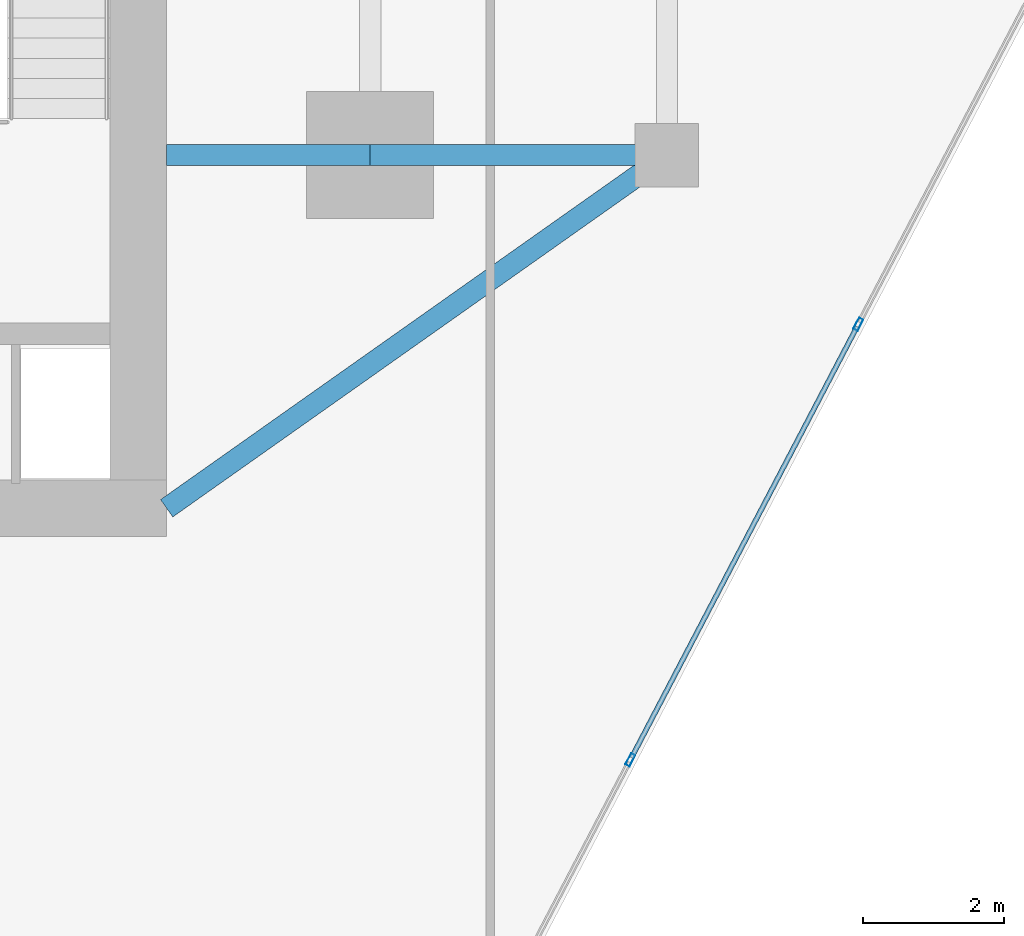
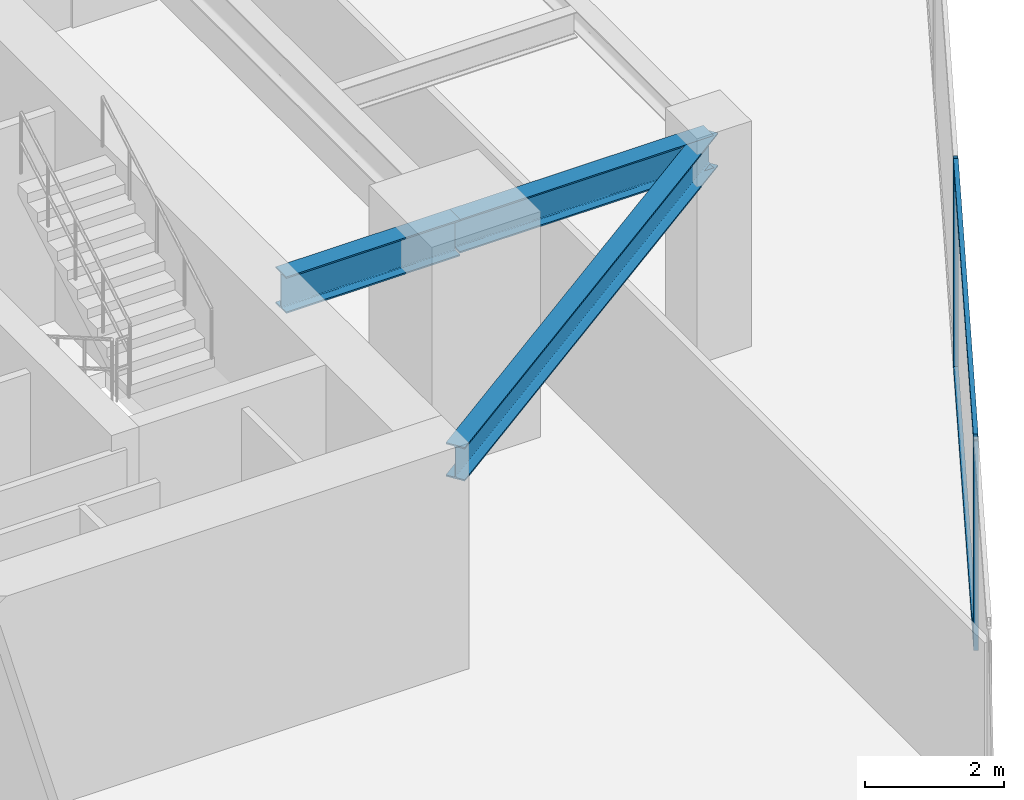
# One storey, part 10 of 27: 4 members, 3 beams, 1 element without a shape of its own.
"""IFC4 building model written with IfcOpenShell, lengths in metres."""

from ifc_helpers import new_model, si_unit, direction, frame, origin, origin_2d, place, context, subcontext, project, spatial, hollow_rectangle, i_section, extrude, source, transform, mapped, material, material_profile, profile_set, type_object, type_shapes, element, aggregate, save


model = new_model("IFC4")

# Units and contexts
model_context = context("Model", 3, precision=1e-05, world=origin(), true_north=direction((0.0, 1.0)))
body_context = subcontext(model_context, "Body", "Model", "MODEL_VIEW")
ifc_project = project(units=[si_unit("LENGTHUNIT", "METRE"), si_unit("AREAUNIT", "SQUARE_METRE"), si_unit("VOLUMEUNIT", "CUBIC_METRE"), si_unit("PLANEANGLEUNIT", "RADIAN"), si_unit("MASSUNIT", "GRAM", prefix="KILO")], contexts=[model_context])

# Site, building, storey
site_placement = place(None, origin())
site = spatial("IfcSite", under=ifc_project, at=site_placement, CompositionType="ELEMENT")
building_placement = place(site_placement, origin())
building = spatial("IfcBuilding", under=site, at=building_placement, Name="Krantzveldt Concourse Tower", CompositionType="ELEMENT")
storey_placement = place(building_placement, frame((0.0, 0.0, 154.10009765625)))
storey = spatial("IfcBuildingStorey", under=building, at=storey_placement, Name="L37", CompositionType="ELEMENT", Elevation=154.10009765625)

# Beams
ifc_material_1 = material(Name="Steel S355JR", Category="steel")
ifc_material_profile_1 = material_profile(ifc_material_1, i_section(OverallWidth=0.300048828125, OverallDepth=0.590087890625, WebThickness=0.012939453125, FlangeThickness=0.02490234375, FilletRadius=0.027099609375, at=origin_2d()), Name="Steel S355JR", Category="steel")
ifc_profile_set_1 = profile_set([ifc_material_profile_1], Name="Steel S355JR - HEA 600")
beam_type_1 = type_object("IfcBeamType", Name="BM-B-HEA600", PredefinedType="BEAM", material=ifc_profile_set_1)
shared_shape_1 = source(origin(), body_context, "Body", "SweptSolid", [
    extrude(i_section(OverallWidth=0.300048828125, OverallDepth=0.590087890625, WebThickness=0.012939453125, FlangeThickness=0.02490234375, FilletRadius=0.027099609375, at=origin_2d()), origin(), (0.0, 0.0, 1.0), 4.199951171875),
])
beam_1_placement = place(storey_placement, frame((46.800048828125, 15.89990234375, 3.375), z_axis=(1.0, 0.0, 0.0), x_axis=(0.0, 1.0, 0.0)))
element("IfcBeam", 1, at=beam_1_placement, inside=storey, type_object=beam_type_1, Name="L37 Tower Girder BR-RR1", PredefinedType="BEAM", context=body_context, shape_type="MappedRepresentation", body=[
    mapped(shared_shape_1, transform((0.0, 0.0, 0.0), x_axis=(1.0, 0.0, 0.0), y_axis=(0.0, 1.0, 0.0), z_axis=(0.0, 0.0, 1.0), scale=1.0)),
])
shared_shape_2 = source(origin(), body_context, "Body", "SweptSolid", [
    extrude(i_section(OverallWidth=0.300048828125, OverallDepth=0.590087890625, WebThickness=0.012939453125, FlangeThickness=0.02490234375, FilletRadius=0.027099609375, at=origin_2d()), origin(), (0.0, 0.0, 1.0), 8.667724609375),
])
type_shapes(beam_type_1, [shared_shape_1, shared_shape_2])
beam_2_placement = place(storey_placement, frame((51.0, 15.89990234375, 3.375), z_axis=(-0.81684294656, -0.576860122261, 0.0), x_axis=(0.576860122261, -0.81684294656, 0.0)))
element("IfcBeam", 2, at=beam_2_placement, inside=storey, type_object=beam_type_1, Name="L37 Tower Girder BR-CSE", PredefinedType="BEAM", context=body_context, shape_type="MappedRepresentation", body=[
    mapped(shared_shape_2, transform((0.0, 0.0, 0.0), x_axis=(1.0, 0.0, 0.0), y_axis=(0.0, 1.0, 0.0), z_axis=(0.0, 0.0, 1.0), scale=1.0)),
])
ifc_material_profile_2 = material_profile(ifc_material_1, i_section(OverallWidth=0.300048828125, OverallDepth=0.639892578125, WebThickness=0.013427734375, FlangeThickness=0.02587890625, FilletRadius=0.027099609375, at=origin_2d()), Name="Steel S355JR", Category="steel")
ifc_profile_set_2 = profile_set([ifc_material_profile_2], Name="Steel S355JR - HEA 650")
beam_type_2 = type_object("IfcBeamType", Name="BM-B-HEA650", PredefinedType="BEAM", material=ifc_profile_set_2)
shared_shape_3 = source(origin(), body_context, "Body", "SweptSolid", [
    extrude(i_section(OverallWidth=0.300048828125, OverallDepth=0.639892578125, WebThickness=0.013427734375, FlangeThickness=0.02587890625, FilletRadius=0.027099609375, at=origin_2d()), origin(), (0.0, 0.0, 1.0), 2.880126953125),
])
type_shapes(beam_type_2, [shared_shape_3])
beam_3_placement = place(storey_placement, frame((43.919921875, 15.89990234375, 3.349853515625), z_axis=(1.0, 0.0, 0.0), x_axis=(0.0, 1.0, 0.0)))
element("IfcBeam", 3, at=beam_3_placement, inside=storey, type_object=beam_type_2, Name="L37 Tower Girder BG-CE1", PredefinedType="BEAM", context=body_context, shape_type="MappedRepresentation", body=[
    mapped(shared_shape_3, transform((0.0, 0.0, 0.0), x_axis=(1.0, 0.0, 0.0), y_axis=(0.0, 1.0, 0.0), z_axis=(0.0, 0.0, 1.0), scale=1.0)),
])

# Curtain wall, members
ifc_material_2 = material(Name="Anodised aluminium 6063-T6", Category="aluminium")
curtain_wall_type = type_object("IfcCurtainWallType", Name="CW3", PredefinedType="USERDEFINED", material=ifc_material_2)
curtain_wall_placement = place(storey_placement, origin())
curtain_wall = element("IfcCurtainWall", 4, at=curtain_wall_placement, inside=storey, type_object=curtain_wall_type, Name="CW-L37-F07", ObjectType="UNITISED CURTAIN WALL", PredefinedType="USERDEFINED")
ifc_material_profile_3 = material_profile(ifc_material_2, hollow_rectangle(XDim=0.070068359375, YDim=0.179931640625, WallThickness=0.0048828125, at=origin_2d()), Name="Anodised aluminium 6063-T6", Category="aluminium")
ifc_profile_set_3 = profile_set([ifc_material_profile_3], Name="Anodised aluminium 6063-T6 - ALU-MULL 180x70x5")
member_type_1 = type_object("IfcMemberType", Name="CW-MUL-180", PredefinedType="MULLION", material=ifc_profile_set_3)
shared_shape_4 = source(origin(), body_context, "Body", "SweptSolid", [
    extrude(hollow_rectangle(XDim=0.070068359375, YDim=0.179931640625, WallThickness=0.0048828125, at=origin_2d()), origin(), (0.0, 0.0, 1.0), 3.669921875),
])
type_shapes(member_type_1, [shared_shape_4])
member_1_placement = place(storey_placement, frame((50.48291015625, 7.337158203125, 0.0), z_axis=(0.0, 0.0, 1.0), x_axis=(-0.886001265743, 0.463682819502, 0.0)))
member_1 = element("IfcMember", 5, at=member_1_placement, type_object=member_type_1, Name="CW-Z34 mullion 2", PredefinedType="MULLION", context=body_context, shape_type="MappedRepresentation", body=[
    mapped(shared_shape_4, transform((0.0, 0.0, 0.0), x_axis=(1.0, 0.0, 0.0), y_axis=(0.0, 1.0, 0.0), z_axis=(0.0, 0.0, 1.0), scale=1.0)),
])
member_2_placement = place(storey_placement, frame((53.7099609375, 13.50390625, 0.0), z_axis=(0.0, 0.0, 1.0), x_axis=(-0.886001265743, 0.463682819502, 0.0)))
member_2 = element("IfcMember", 6, at=member_2_placement, type_object=member_type_1, Name="CW-Z34 mullion 3", PredefinedType="MULLION", context=body_context, shape_type="MappedRepresentation", body=[
    mapped(shared_shape_4, transform((0.0, 0.0, 0.0), x_axis=(1.0, 0.0, 0.0), y_axis=(0.0, 1.0, 0.0), z_axis=(0.0, 0.0, 1.0), scale=1.0)),
])
ifc_material_profile_4 = material_profile(ifc_material_2, hollow_rectangle(XDim=0.070068359375, YDim=0.139892578125, WallThickness=0.0048828125, at=origin_2d()), Name="Anodised aluminium 6063-T6", Category="aluminium")
ifc_profile_set_4 = profile_set([ifc_material_profile_4], Name="Anodised aluminium 6063-T6 - ALU-TRAN 140x70x5")
member_type_2 = type_object("IfcMemberType", Name="CW-TRN-150", PredefinedType="USERDEFINED", material=ifc_profile_set_4)
shared_shape_5 = source(origin(), body_context, "Body", "SweptSolid", [
    extrude(hollow_rectangle(XDim=0.070068359375, YDim=0.139892578125, WallThickness=0.0048828125, at=origin_2d()), origin(), (0.0, 0.0, 1.0), 6.89013671875),
])
type_shapes(member_type_2, [shared_shape_5])
member_3_placement = place(storey_placement, frame((50.4990234375, 7.3681640625, 0.034912109375), z_axis=(0.463677283577, 0.88600416291, 0.0), x_axis=(-0.88600416291, 0.463677283577, 0.0)))
member_3 = element("IfcMember", 7, at=member_3_placement, type_object=member_type_2, Name="CW-Z34 transom 2.1", ObjectType="TRANSOM", PredefinedType="USERDEFINED", context=body_context, shape_type="MappedRepresentation", body=[
    mapped(shared_shape_5, transform((0.0, 0.0, 0.0), x_axis=(1.0, 0.0, 0.0), y_axis=(0.0, 1.0, 0.0), z_axis=(0.0, 0.0, 1.0), scale=1.0)),
])
member_4_placement = place(storey_placement, frame((50.4990234375, 7.3681640625, 3.635009765625), z_axis=(0.463677283577, 0.88600416291, 0.0), x_axis=(-0.88600416291, 0.463677283577, 0.0)))
member_4 = element("IfcMember", 8, at=member_4_placement, type_object=member_type_2, Name="CW-Z34 transom 2.2", ObjectType="TRANSOM", PredefinedType="USERDEFINED", context=body_context, shape_type="MappedRepresentation", body=[
    mapped(shared_shape_5, transform((0.0, 0.0, 0.0), x_axis=(1.0, 0.0, 0.0), y_axis=(0.0, 1.0, 0.0), z_axis=(0.0, 0.0, 1.0), scale=1.0)),
])
aggregate(curtain_wall, [member_1, member_2, member_3, member_4])

save(model, "model.ifc")
